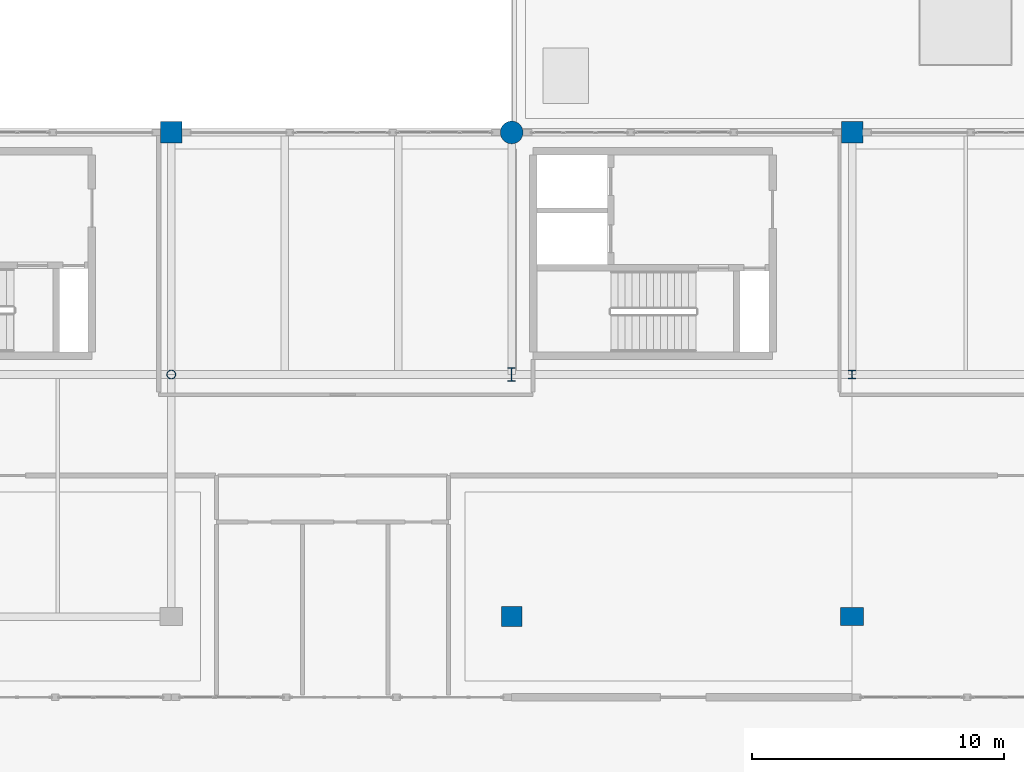
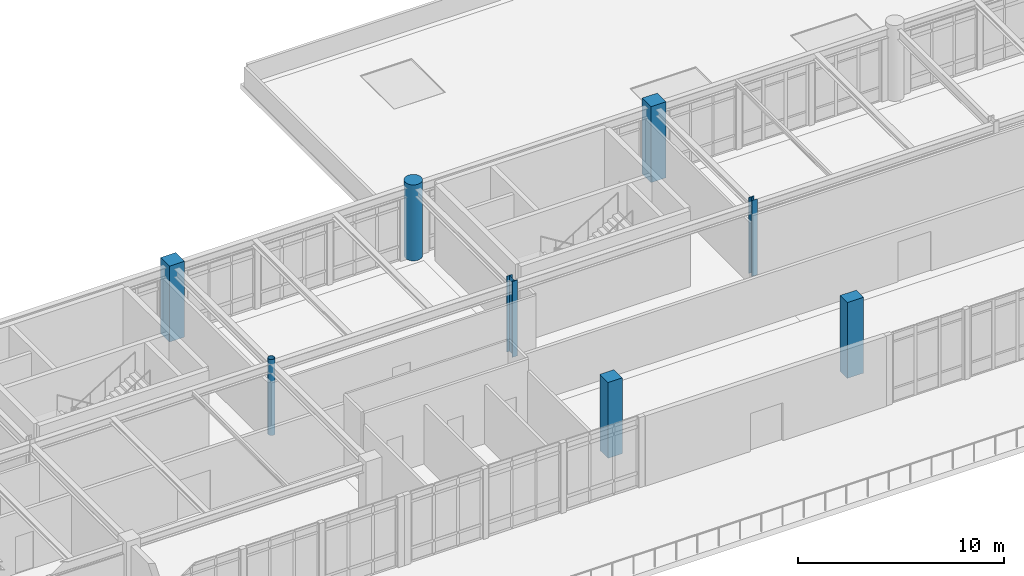
# One storey, part 2 of 55: 8 columns.
"""IFC4 building model written with IfcOpenShell, lengths in metres."""

from ifc_helpers import new_model, si_unit, direction, frame, origin, origin_2d, place, context, subcontext, project, spatial, rectangle, circle, hollow_circle, i_section, extrude, material, material_profile, profile_set, type_object, element, save


model = new_model("IFC4")

# Units and contexts
model_context = context("Model", 3, precision=1e-05, world=origin(), true_north=direction((0.0, 1.0)))
body_context = subcontext(model_context, "Body", "Model", "MODEL_VIEW")
ifc_project = project(units=[si_unit("LENGTHUNIT", "METRE"), si_unit("AREAUNIT", "SQUARE_METRE"), si_unit("VOLUMEUNIT", "CUBIC_METRE"), si_unit("PLANEANGLEUNIT", "RADIAN"), si_unit("MASSUNIT", "GRAM", prefix="KILO")], contexts=[model_context])

# Site, building, storey
site_placement = place(None, origin())
site = spatial("IfcSite", under=ifc_project, at=site_placement, CompositionType="ELEMENT")
building_placement = place(site_placement, origin())
building = spatial("IfcBuilding", under=site, at=building_placement, Name="Fikremerkos Civic Library", CompositionType="ELEMENT")
storey_placement = place(building_placement, frame((0.0, 0.0, 18.89990234375)))
storey = spatial("IfcBuildingStorey", under=building, at=storey_placement, Name="L04", CompositionType="ELEMENT", Elevation=18.89990234375)

# Columns
ifc_material_1 = material(Name="Concrete C40/50", Category="concrete")
ifc_material_profile_1 = material_profile(ifc_material_1, rectangle(XDim=0.85009765625, YDim=0.85009765625, at=origin_2d()), Name="RC 850x850")
ifc_profile_set_1 = profile_set([ifc_material_profile_1], Name="Concrete C40/50")
column_type_1 = type_object("IfcColumnType", Name="Structural column COL-04 RC 850x850", PredefinedType="COLUMN", material=ifc_profile_set_1)
for number, where, z_axis, x_axis, name in (
    (1, (32.699951171875, 31.199951171875, 0.0), (0.0, 0.0, 1.0), (1.0, 0.0, 0.0), "Column COL-04 L04 4/G"),
    (2, (59.699951171875, 31.199951171875, 0.0), (0.0, 0.0, 1.0), (1.0, 0.0, 0.0), "Column COL-04 L04 6/G"),
):
    element("IfcColumn", number, at=place(storey_placement, frame(where, z_axis=z_axis, x_axis=x_axis)), inside=storey, type_object=column_type_1, Name=name, PredefinedType="COLUMN", context=body_context, shape_type="SweptSolid", body=[
        extrude(rectangle(XDim=0.85009765625, YDim=0.85009765625, at=origin_2d()), origin(), (0.0, 0.0, 1.0), 4.5),
    ])
ifc_material_profile_2 = material_profile(ifc_material_1, rectangle(XDim=0.800048828125, YDim=0.800048828125, at=origin_2d()), Name="RC 800x800")
ifc_profile_set_2 = profile_set([ifc_material_profile_2], Name="Concrete C40/50")
column_type_2 = type_object("IfcColumnType", Name="Structural column COL-05 RC 800x800", PredefinedType="COLUMN", material=ifc_profile_set_2)
column_1_placement = place(storey_placement, frame((46.199951171875, 12.0, 0.0), z_axis=(0.0, 0.0, 1.0), x_axis=(1.0, 0.0, 0.0)))
element("IfcColumn", 3, at=column_1_placement, inside=storey, type_object=column_type_2, Name="Column COL-05 L04 5/E", PredefinedType="COLUMN", context=body_context, shape_type="SweptSolid", body=[
    extrude(rectangle(XDim=0.800048828125, YDim=0.800048828125, at=origin_2d()), origin(), (0.0, 0.0, 1.0), 4.5),
])
ifc_material_profile_3 = material_profile(ifc_material_1, rectangle(XDim=0.89990234375, YDim=0.699951171875, at=origin_2d()), Name="RC 900x700")
ifc_profile_set_3 = profile_set([ifc_material_profile_3], Name="Concrete C40/50")
column_type_3 = type_object("IfcColumnType", Name="Structural column COL-13 RC 900x700", PredefinedType="COLUMN", material=ifc_profile_set_3)
column_2_placement = place(storey_placement, frame((59.699951171875, 12.0, 0.0), z_axis=(0.0, 0.0, 1.0), x_axis=(1.0, 0.0, 0.0)))
element("IfcColumn", 4, at=column_2_placement, inside=storey, type_object=column_type_3, Name="Column COL-13 L04 6/E", PredefinedType="COLUMN", context=body_context, shape_type="SweptSolid", body=[
    extrude(rectangle(XDim=0.89990234375, YDim=0.699951171875, at=origin_2d()), origin(), (0.0, 0.0, 1.0), 4.5),
])
ifc_material_2 = material(Name="Concrete C45/55", Category="concrete")
ifc_material_profile_4 = material_profile(ifc_material_2, circle(Radius=0.449951171875, at=origin_2d()), Name="RC D900")
ifc_profile_set_4 = profile_set([ifc_material_profile_4], Name="Concrete C45/55")
column_type_4 = type_object("IfcColumnType", Name="Structural column COL-17 RC D900", PredefinedType="COLUMN", material=ifc_profile_set_4)
column_3_placement = place(storey_placement, frame((46.199951171875, 31.199951171875, 0.0), z_axis=(0.0, 0.0, 1.0), x_axis=(1.0, 0.0, 0.0)))
element("IfcColumn", 5, at=column_3_placement, inside=storey, type_object=column_type_4, Name="Column COL-17 L04 5/G", PredefinedType="COLUMN", context=body_context, shape_type="SweptSolid", body=[
    extrude(circle(Radius=0.449951171875, at=origin_2d()), origin(), (0.0, 0.0, 1.0), 4.5),
])
ifc_material_3 = material(Name="Steel S355", Category="steel")
ifc_material_profile_5 = material_profile(ifc_material_3, i_section(OverallWidth=0.300048828125, OverallDepth=0.550048828125, WebThickness=0.014892578125, FlangeThickness=0.029052734375, FilletRadius=0.027099609375, at=origin_2d()), Name="HEB 550")
ifc_profile_set_5 = profile_set([ifc_material_profile_5], Name="Steel S355")
column_type_5 = type_object("IfcColumnType", Name="Structural column COL-21 HEB 550", PredefinedType="COLUMN", material=ifc_profile_set_5)
column_4_placement = place(storey_placement, frame((46.199951171875, 21.60009765625, 0.0), z_axis=(0.0, 0.0, 1.0), x_axis=(1.0, 0.0, 0.0)))
element("IfcColumn", 6, at=column_4_placement, inside=storey, type_object=column_type_5, Name="Column COL-21 L04 5/F", PredefinedType="COLUMN", context=body_context, shape_type="SweptSolid", body=[
    extrude(i_section(OverallWidth=0.300048828125, OverallDepth=0.550048828125, WebThickness=0.014892578125, FlangeThickness=0.029052734375, FilletRadius=0.027099609375, at=origin_2d()), origin(), (0.0, 0.0, 1.0), 4.5),
])
ifc_material_profile_6 = material_profile(ifc_material_3, i_section(OverallWidth=0.300048828125, OverallDepth=0.320068359375, WebThickness=0.011474609375, FlangeThickness=0.0205078125, FilletRadius=0.027099609375, at=origin_2d()), Name="HEB 320")
ifc_profile_set_6 = profile_set([ifc_material_profile_6], Name="Steel S355")
column_type_6 = type_object("IfcColumnType", Name="Structural column COL-26 HEB 320", PredefinedType="COLUMN", material=ifc_profile_set_6)
column_5_placement = place(storey_placement, frame((59.699951171875, 21.60009765625, 0.0), z_axis=(0.0, 0.0, 1.0), x_axis=(1.0, 0.0, 0.0)))
element("IfcColumn", 7, at=column_5_placement, inside=storey, type_object=column_type_6, Name="Column COL-26 L04 6/F", PredefinedType="COLUMN", context=body_context, shape_type="SweptSolid", body=[
    extrude(i_section(OverallWidth=0.300048828125, OverallDepth=0.320068359375, WebThickness=0.011474609375, FlangeThickness=0.0205078125, FilletRadius=0.027099609375, at=origin_2d()), origin(), (0.0, 0.0, 1.0), 4.5),
])
ifc_material_profile_7 = material_profile(ifc_material_3, hollow_circle(Radius=0.177734375, WallThickness=0.01416015625, at=origin_2d()), Name="CHS 355.6x14.2")
ifc_profile_set_7 = profile_set([ifc_material_profile_7], Name="Steel S355")
column_type_7 = type_object("IfcColumnType", Name="Structural column COL-30 CHS 355.6x14.2", PredefinedType="COLUMN", material=ifc_profile_set_7)
column_6_placement = place(storey_placement, frame((32.699951171875, 21.60009765625, 0.0), z_axis=(0.0, 0.0, 1.0), x_axis=(1.0, 0.0, 0.0)))
element("IfcColumn", 8, at=column_6_placement, inside=storey, type_object=column_type_7, Name="Column COL-30 L04 4/F", PredefinedType="COLUMN", context=body_context, shape_type="SweptSolid", body=[
    extrude(hollow_circle(Radius=0.177734375, WallThickness=0.01416015625, at=origin_2d()), origin(), (0.0, 0.0, 1.0), 4.5),
])

save(model, "model.ifc")
